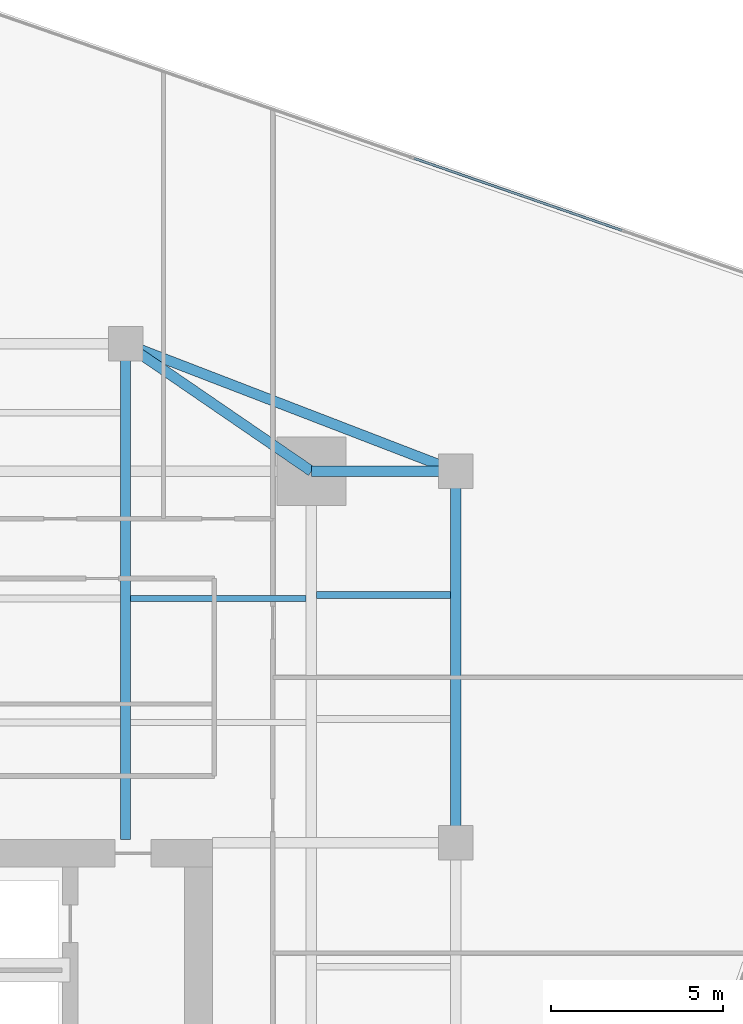
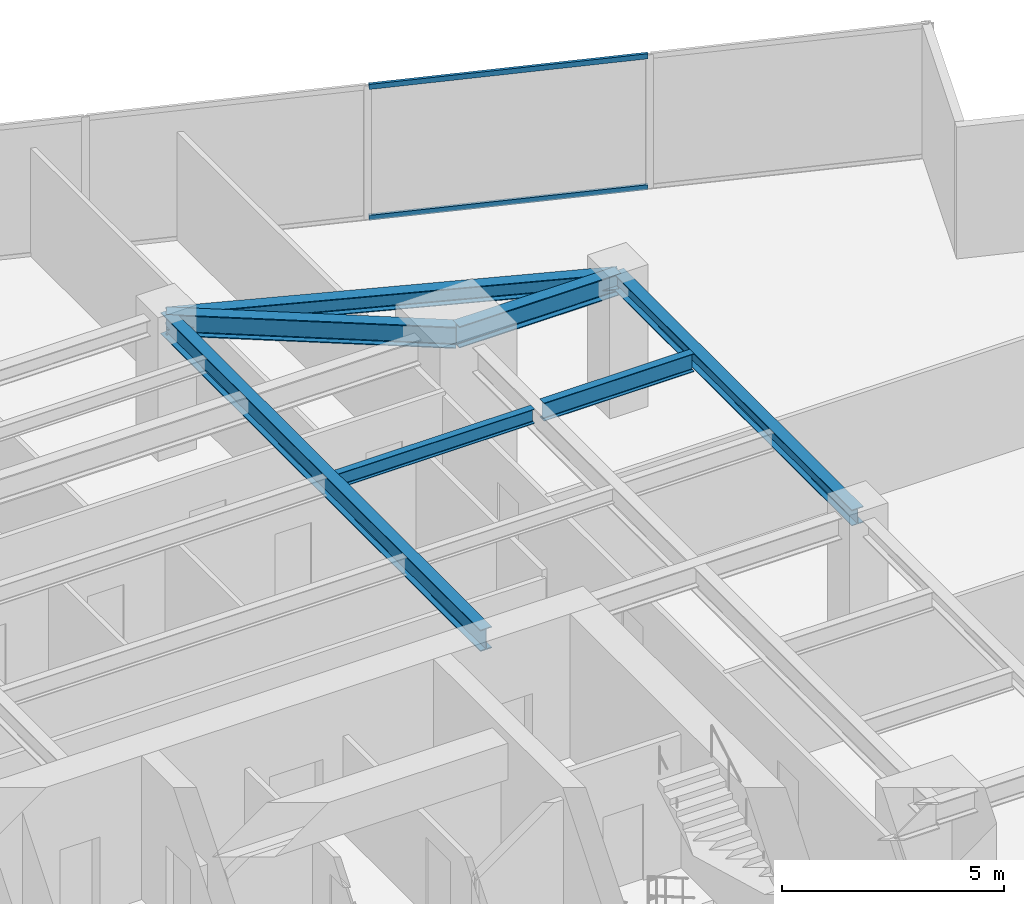
# One storey, part 19 of 28: 7 beams, 2 members, 1 element without a shape of its own.
"""IFC4 building model written with IfcOpenShell, lengths in metres."""

from ifc_helpers import new_model, si_unit, direction, frame, origin, origin_2d, place, context, subcontext, project, spatial, hollow_rectangle, i_section, extrude, source, transform, mapped, material, material_profile, profile_set, type_object, type_shapes, element, aggregate, save


model = new_model("IFC4")

# Units and contexts
model_context = context("Model", 3, precision=1e-05, world=origin(), true_north=direction((0.0, 1.0)))
body_context = subcontext(model_context, "Body", "Model", "MODEL_VIEW")
ifc_project = project(units=[si_unit("LENGTHUNIT", "METRE"), si_unit("AREAUNIT", "SQUARE_METRE"), si_unit("VOLUMEUNIT", "CUBIC_METRE"), si_unit("PLANEANGLEUNIT", "RADIAN"), si_unit("MASSUNIT", "GRAM", prefix="KILO")], contexts=[model_context])

# Site, building, storey
site_placement = place(None, origin())
site = spatial("IfcSite", under=ifc_project, at=site_placement, CompositionType="ELEMENT")
building_placement = place(site_placement, origin())
building = spatial("IfcBuilding", under=site, at=building_placement, Name="Krantzveldt Concourse Tower", CompositionType="ELEMENT")
storey_placement = place(building_placement, frame((0.0, 0.0, 117.699951171875)))
storey = spatial("IfcBuildingStorey", under=building, at=storey_placement, Name="L28", CompositionType="ELEMENT", Elevation=117.699951171875)

# Beams
ifc_material_1 = material(Name="Steel S355JR", Category="steel")
ifc_material_profile_1 = material_profile(ifc_material_1, i_section(OverallWidth=0.300048828125, OverallDepth=0.590087890625, WebThickness=0.012939453125, FlangeThickness=0.02490234375, FilletRadius=0.027099609375, at=origin_2d()), Name="Steel S355JR", Category="steel")
ifc_profile_set_1 = profile_set([ifc_material_profile_1], Name="Steel S355JR - HEA 600")
beam_type_1 = type_object("IfcBeamType", Name="BM-B-HEA600", PredefinedType="BEAM", material=ifc_profile_set_1)
shared_shape_1 = source(origin(), body_context, "Body", "SweptSolid", [
    extrude(i_section(OverallWidth=0.300048828125, OverallDepth=0.590087890625, WebThickness=0.012939453125, FlangeThickness=0.02490234375, FilletRadius=0.027099609375, at=origin_2d()), origin(), (0.0, 0.0, 1.0), 14.39990234375),
])
beam_1_placement = place(storey_placement, frame((41.39990234375, 26.800048828125, 3.375), z_axis=(0.0, 1.0, 0.0), x_axis=(-1.0, 0.0, 0.0)))
element("IfcBeam", 1, at=beam_1_placement, inside=storey, type_object=beam_type_1, Name="L28 Tower Girder BG-CNE", PredefinedType="BEAM", context=body_context, shape_type="MappedRepresentation", body=[
    mapped(shared_shape_1, transform((0.0, 0.0, 0.0), x_axis=(1.0, 0.0, 0.0), y_axis=(0.0, 1.0, 0.0), z_axis=(0.0, 0.0, 1.0), scale=1.0)),
])
ifc_material_profile_2 = material_profile(ifc_material_1, i_section(OverallWidth=0.300048828125, OverallDepth=0.43994140625, WebThickness=0.011474609375, FlangeThickness=0.02099609375, FilletRadius=0.027099609375, at=origin_2d()), Name="Steel S355JR", Category="steel")
ifc_profile_set_2 = profile_set([ifc_material_profile_2], Name="Steel S355JR - HEA 450")
beam_type_2 = type_object("IfcBeamType", Name="BM-SP-HEA450", PredefinedType="SPANDREL", material=ifc_profile_set_2)
shared_shape_2 = source(origin(), body_context, "Body", "SweptSolid", [
    extrude(i_section(OverallWidth=0.300048828125, OverallDepth=0.43994140625, WebThickness=0.011474609375, FlangeThickness=0.02099609375, FilletRadius=0.027099609375, at=origin_2d()), origin(), (0.0, 0.0, 1.0), 10.800048828125),
])
beam_2_placement = place(storey_placement, frame((51.0, 37.5, 3.449951171875), z_axis=(0.0, -1.0, 0.0), x_axis=(1.0, 0.0, 0.0)))
element("IfcBeam", 2, at=beam_2_placement, inside=storey, type_object=beam_type_2, Name="L28 Tower Girder SP-R06", PredefinedType="SPANDREL", context=body_context, shape_type="MappedRepresentation", body=[
    mapped(shared_shape_2, transform((0.0, 0.0, 0.0), x_axis=(1.0, 0.0, 0.0), y_axis=(0.0, 1.0, 0.0), z_axis=(0.0, 0.0, 1.0), scale=1.0)),
])
shared_shape_3 = source(origin(), body_context, "Body", "SweptSolid", [
    extrude(i_section(OverallWidth=0.300048828125, OverallDepth=0.43994140625, WebThickness=0.011474609375, FlangeThickness=0.02099609375, FilletRadius=0.027099609375, at=origin_2d()), origin(), (0.0, 0.0, 1.0), 10.288330078125),
])
type_shapes(beam_type_2, [shared_shape_2, shared_shape_3])
beam_3_placement = place(storey_placement, frame((41.39990234375, 41.199951171875, 3.449951171875), z_axis=(0.933097690408, -0.359622997257, 0.0), x_axis=(0.359622997257, 0.933097690408, 0.0)))
element("IfcBeam", 3, at=beam_3_placement, inside=storey, type_object=beam_type_2, Name="L28 Tower Girder SP-R05", PredefinedType="SPANDREL", context=body_context, shape_type="MappedRepresentation", body=[
    mapped(shared_shape_3, transform((0.0, 0.0, 0.0), x_axis=(1.0, 0.0, 0.0), y_axis=(0.0, 1.0, 0.0), z_axis=(0.0, 0.0, 1.0), scale=1.0)),
])
shared_shape_4 = source(origin(), body_context, "Body", "SweptSolid", [
    extrude(i_section(OverallWidth=0.300048828125, OverallDepth=0.590087890625, WebThickness=0.012939453125, FlangeThickness=0.02490234375, FilletRadius=0.027099609375, at=origin_2d()), origin(), (0.0, 0.0, 1.0), 4.199951171875),
])
beam_4_placement = place(storey_placement, frame((46.800048828125, 37.5, 3.375), z_axis=(1.0, 0.0, 0.0), x_axis=(0.0, 1.0, 0.0)))
element("IfcBeam", 4, at=beam_4_placement, inside=storey, type_object=beam_type_1, Name="L28 Tower Girder BR-RR3", PredefinedType="BEAM", context=body_context, shape_type="MappedRepresentation", body=[
    mapped(shared_shape_4, transform((0.0, 0.0, 0.0), x_axis=(1.0, 0.0, 0.0), y_axis=(0.0, 1.0, 0.0), z_axis=(0.0, 0.0, 1.0), scale=1.0)),
])
shared_shape_5 = source(origin(), body_context, "Body", "SweptSolid", [
    extrude(i_section(OverallWidth=0.300048828125, OverallDepth=0.590087890625, WebThickness=0.012939453125, FlangeThickness=0.02490234375, FilletRadius=0.027099609375, at=origin_2d()), origin(), (0.0, 0.0, 1.0), 6.546142578125),
])
type_shapes(beam_type_1, [shared_shape_1, shared_shape_4, shared_shape_5])
beam_5_placement = place(storey_placement, frame((46.800048828125, 37.5, 3.375), z_axis=(-0.824942999484, 0.565215930068, 0.0), x_axis=(-0.565215930068, -0.824942999484, 0.0)))
element("IfcBeam", 5, at=beam_5_placement, inside=storey, type_object=beam_type_1, Name="L28 Tower Girder BR-RR4", PredefinedType="BEAM", context=body_context, shape_type="MappedRepresentation", body=[
    mapped(shared_shape_5, transform((0.0, 0.0, 0.0), x_axis=(1.0, 0.0, 0.0), y_axis=(0.0, 1.0, 0.0), z_axis=(0.0, 0.0, 1.0), scale=1.0)),
])
ifc_material_profile_3 = material_profile(ifc_material_1, i_section(OverallWidth=0.179931640625, OverallDepth=0.39990234375, WebThickness=0.008544921875, FlangeThickness=0.013427734375, FilletRadius=0.02099609375, at=origin_2d()), Name="Steel S355JR", Category="steel")
ifc_profile_set_3 = profile_set([ifc_material_profile_3], Name="Steel S355JR - IPE 400")
beam_type_3 = type_object("IfcBeamType", Name="BM-J-IPE400", PredefinedType="JOIST", material=ifc_profile_set_3)
shared_shape_6 = source(origin(), body_context, "Body", "SweptSolid", [
    extrude(i_section(OverallWidth=0.179931640625, OverallDepth=0.39990234375, WebThickness=0.008544921875, FlangeThickness=0.013427734375, FilletRadius=0.02099609375, at=origin_2d()), origin(), (0.0, 0.0, 1.0), 5.099853515625),
])
type_shapes(beam_type_3, [shared_shape_6])
beam_6_placement = place(storey_placement, frame((41.550048828125, 33.800048828125, 3.469970703125), z_axis=(1.0, 0.0, 0.0), x_axis=(0.0, 1.0, 0.0)))
element("IfcBeam", 6, at=beam_6_placement, inside=storey, type_object=beam_type_3, Name="L28 Secondary Floor Joist JN-E2", PredefinedType="JOIST", context=body_context, shape_type="MappedRepresentation", body=[
    mapped(shared_shape_6, transform((0.0, 0.0, 0.0), x_axis=(1.0, 0.0, 0.0), y_axis=(0.0, 1.0, 0.0), z_axis=(0.0, 0.0, 1.0), scale=1.0)),
])
ifc_material_profile_4 = material_profile(ifc_material_1, i_section(OverallWidth=0.199951171875, OverallDepth=0.5, WebThickness=0.01025390625, FlangeThickness=0.01611328125, FilletRadius=0.02099609375, at=origin_2d()), Name="Steel S355JR", Category="steel")
ifc_profile_set_4 = profile_set([ifc_material_profile_4], Name="Steel S355JR - IPE 500")
beam_type_4 = type_object("IfcBeamType", Name="BM-J-IPE500", PredefinedType="JOIST", material=ifc_profile_set_4)
shared_shape_7 = source(origin(), body_context, "Body", "SweptSolid", [
    extrude(i_section(OverallWidth=0.199951171875, OverallDepth=0.5, WebThickness=0.01025390625, FlangeThickness=0.01611328125, FilletRadius=0.02099609375, at=origin_2d()), origin(), (0.0, 0.0, 1.0), 3.900146484375),
])
type_shapes(beam_type_4, [shared_shape_7])
beam_7_placement = place(storey_placement, frame((46.949951171875, 33.89990234375, 3.420166015625), z_axis=(1.0, 0.0, 0.0), x_axis=(0.0, 1.0, 0.0)))
element("IfcBeam", 7, at=beam_7_placement, inside=storey, type_object=beam_type_4, Name="L28 Secondary Floor Joist JE-4", PredefinedType="JOIST", context=body_context, shape_type="MappedRepresentation", body=[
    mapped(shared_shape_7, transform((0.0, 0.0, 0.0), x_axis=(1.0, 0.0, 0.0), y_axis=(0.0, 1.0, 0.0), z_axis=(0.0, 0.0, 1.0), scale=1.0)),
])

# Curtain wall, members
ifc_material_2 = material(Name="Anodised aluminium 6063-T6", Category="aluminium")
curtain_wall_type = type_object("IfcCurtainWallType", Name="CW2", PredefinedType="USERDEFINED", material=ifc_material_2)
curtain_wall_placement = place(storey_placement, origin())
curtain_wall = element("IfcCurtainWall", 8, at=curtain_wall_placement, inside=storey, type_object=curtain_wall_type, Name="CW-L28-F10", ObjectType="UNITISED CURTAIN WALL", PredefinedType="USERDEFINED")
ifc_material_profile_5 = material_profile(ifc_material_2, hollow_rectangle(XDim=0.070068359375, YDim=0.139892578125, WallThickness=0.0048828125, at=origin_2d()), Name="Anodised aluminium 6063-T6", Category="aluminium")
ifc_profile_set_5 = profile_set([ifc_material_profile_5], Name="Anodised aluminium 6063-T6 - ALU-TRAN 140x70x5")
member_type = type_object("IfcMemberType", Name="CW-TRN-150", PredefinedType="USERDEFINED", material=ifc_profile_set_5)
shared_shape_8 = source(origin(), body_context, "Body", "SweptSolid", [
    extrude(hollow_rectangle(XDim=0.070068359375, YDim=0.139892578125, WallThickness=0.0048828125, at=origin_2d()), origin(), (0.0, 0.0, 1.0), 6.396728515625),
])
type_shapes(member_type, [shared_shape_8])
member_1_placement = place(storey_placement, frame((55.823486328125, 44.49755859375, 0.03515625), z_axis=(-0.944809422525, 0.327620443666, 0.0), x_axis=(-0.327620443666, -0.944809422525, 0.0)))
member_1 = element("IfcMember", 9, at=member_1_placement, type_object=member_type, Name="CW-Z12 transom 2.1", ObjectType="TRANSOM", PredefinedType="USERDEFINED", context=body_context, shape_type="MappedRepresentation", body=[
    mapped(shared_shape_8, transform((0.0, 0.0, 0.0), x_axis=(1.0, 0.0, 0.0), y_axis=(0.0, 1.0, 0.0), z_axis=(0.0, 0.0, 1.0), scale=1.0)),
])
member_2_placement = place(storey_placement, frame((55.823486328125, 44.49755859375, 3.635009765625), z_axis=(-0.944809422525, 0.327620443666, 0.0), x_axis=(-0.327620443666, -0.944809422525, 0.0)))
member_2 = element("IfcMember", 10, at=member_2_placement, type_object=member_type, Name="CW-Z12 transom 2.2", ObjectType="TRANSOM", PredefinedType="USERDEFINED", context=body_context, shape_type="MappedRepresentation", body=[
    mapped(shared_shape_8, transform((0.0, 0.0, 0.0), x_axis=(1.0, 0.0, 0.0), y_axis=(0.0, 1.0, 0.0), z_axis=(0.0, 0.0, 1.0), scale=1.0)),
])
aggregate(curtain_wall, [member_1, member_2])

save(model, "model.ifc")
